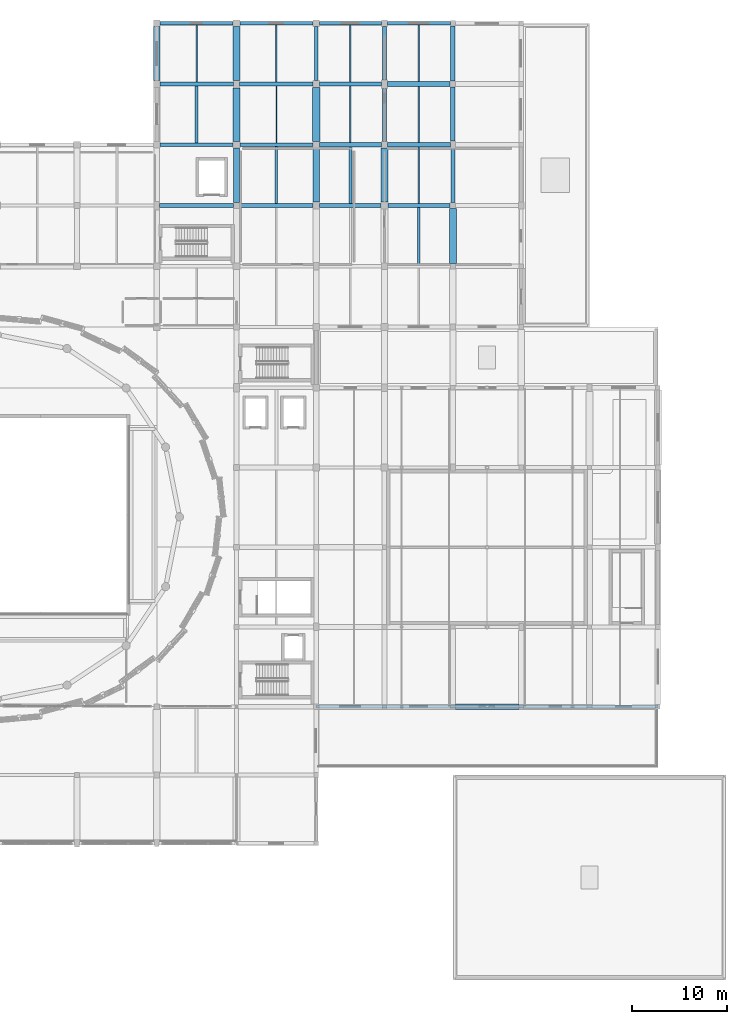
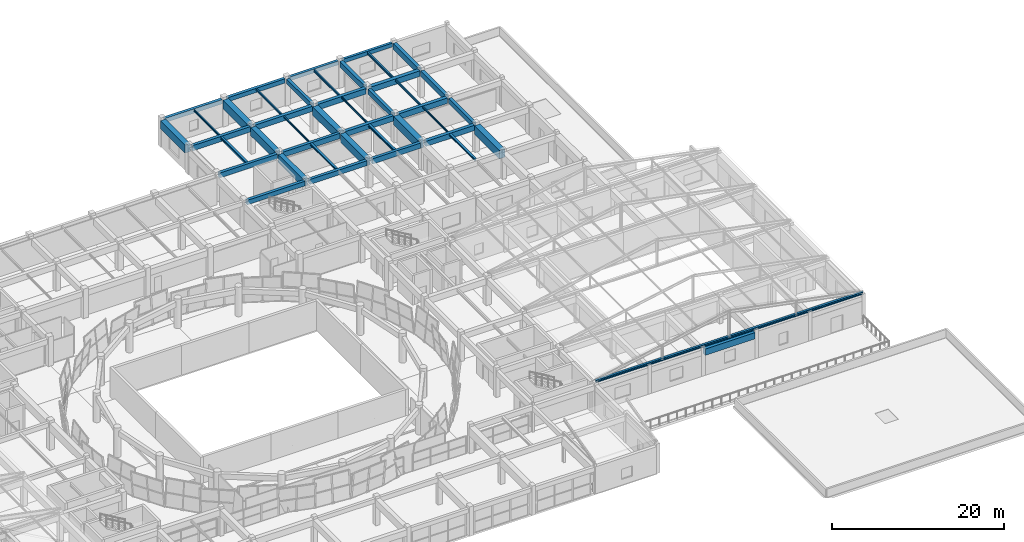
# One storey, part 37 of 74: 43 beams, 1 member.
"""IFC4 building model written with IfcOpenShell, lengths in metres."""

from ifc_helpers import new_model, si_unit, direction, frame, origin, origin_2d, place, context, subcontext, project, spatial, rectangle, i_section, extrude, material, material_profile, profile_set, type_object, element, save


model = new_model("IFC4")

# Units and contexts
model_context = context("Model", 3, precision=1e-05, world=origin(), true_north=direction((0.0, 1.0)))
body_context = subcontext(model_context, "Body", "Model", "MODEL_VIEW")
ifc_project = project(units=[si_unit("LENGTHUNIT", "METRE"), si_unit("AREAUNIT", "SQUARE_METRE"), si_unit("VOLUMEUNIT", "CUBIC_METRE"), si_unit("PLANEANGLEUNIT", "RADIAN"), si_unit("MASSUNIT", "GRAM", prefix="KILO")], contexts=[model_context])

# Site, building, storey
site_placement = place(None, origin())
site = spatial("IfcSite", under=ifc_project, at=site_placement, CompositionType="ELEMENT")
building_placement = place(site_placement, origin())
building = spatial("IfcBuilding", under=site, at=building_placement, Name="Korsvaeld Concert Hall", CompositionType="ELEMENT")
storey_placement = place(building_placement, frame((0.0, 0.0, 9.0)))
storey = spatial("IfcBuildingStorey", under=building, at=storey_placement, Name="L02", CompositionType="ELEMENT", Elevation=9.0)

# Beams
ifc_material_1 = material(Name="Concrete C35/45", Category="concrete")
ifc_material_profile_1 = material_profile(ifc_material_1, rectangle(XDim=0.39990234375, YDim=0.64990234375, at=origin_2d()), Name="RC 400x650")
ifc_profile_set_1 = profile_set([ifc_material_profile_1], Name="Concrete C35/45")
beam_type_1 = type_object("IfcBeamType", Name="BM-RC-400x650", PredefinedType="T_BEAM", material=ifc_profile_set_1)
beam_1_placement = place(storey_placement, frame((101.10009765625, 96.0, 3.514892578125), z_axis=(1.0, 0.0, 0.0), x_axis=(0.0, 1.0, 0.0)))
element("IfcBeam", 1, at=beam_1_placement, inside=storey, type_object=beam_type_1, Name="Primary girder 14-15/P L02", PredefinedType="T_BEAM", context=body_context, shape_type="SweptSolid", body=[
    extrude(rectangle(XDim=0.39990234375, YDim=0.64990234375, at=origin_2d()), origin(), (0.0, 0.0, 1.0), 7.77490234375),
])
ifc_material_profile_2 = material_profile(ifc_material_1, rectangle(XDim=0.39990234375, YDim=0.699951171875, at=origin_2d()), Name="RC 400x700")
ifc_profile_set_2 = profile_set([ifc_material_profile_2], Name="Concrete C35/45")
beam_type_2 = type_object("IfcBeamType", Name="BM-RC-400x700", PredefinedType="T_BEAM", material=ifc_profile_set_2)
for number, where, z_axis, x_axis, name in (
    (2, (109.52490234375, 96.0, 3.489990234375), (1.0, 0.0, 0.0), (0.0, 1.0, 0.0), "Primary girder 15-16/P L02"),
    (3, (101.125, 102.39990234375, 3.489990234375), (1.0, 0.0, 0.0), (0.0, 1.0, 0.0), "Primary girder 14-15/Q L02"),
):
    element("IfcBeam", number, at=place(storey_placement, frame(where, z_axis=z_axis, x_axis=x_axis)), inside=storey, type_object=beam_type_2, Name=name, PredefinedType="T_BEAM", context=body_context, shape_type="SweptSolid", body=[
        extrude(rectangle(XDim=0.39990234375, YDim=0.699951171875, at=origin_2d()), origin(), (0.0, 0.0, 1.0), 7.72509765625),
    ])
beam_2_placement = place(storey_placement, frame((117.60009765625, 109.14990234375, 3.489990234375), z_axis=(0.0, 1.0, 0.0), x_axis=(-1.0, 0.0, 0.0)))
element("IfcBeam", 4, at=beam_2_placement, inside=storey, type_object=beam_type_2, Name="Primary girder 16/R-S L02", PredefinedType="T_BEAM", context=body_context, shape_type="SweptSolid", body=[
    extrude(rectangle(XDim=0.39990234375, YDim=0.699951171875, at=origin_2d()), origin(), (0.0, 0.0, 1.0), 5.72509765625),
])
beam_3_placement = place(storey_placement, frame((124.800048828125, 102.72509765625, 3.489990234375), z_axis=(0.0, 1.0, 0.0), x_axis=(-1.0, 0.0, 0.0)))
element("IfcBeam", 5, at=beam_3_placement, inside=storey, type_object=beam_type_2, Name="Primary girder 17/Q-R L02", PredefinedType="T_BEAM", context=body_context, shape_type="SweptSolid", body=[
    extrude(rectangle(XDim=0.39990234375, YDim=0.699951171875, at=origin_2d()), origin(), (0.0, 0.0, 1.0), 5.625),
])
beam_4_placement = place(storey_placement, frame((132.0, 96.300048828125, 3.489990234375), z_axis=(0.0, 1.0, 0.0), x_axis=(-1.0, 0.0, 0.0)))
element("IfcBeam", 6, at=beam_4_placement, inside=storey, type_object=beam_type_2, Name="Primary girder 18/P-Q L02", PredefinedType="T_BEAM", context=body_context, shape_type="SweptSolid", body=[
    extrude(rectangle(XDim=0.39990234375, YDim=0.699951171875, at=origin_2d()), origin(), (0.0, 0.0, 1.0), 5.724853515625),
])
ifc_material_profile_3 = material_profile(ifc_material_1, rectangle(XDim=0.39990234375, YDim=0.75, at=origin_2d()), Name="RC 400x750")
ifc_profile_set_3 = profile_set([ifc_material_profile_3], Name="Concrete C35/45")
beam_type_3 = type_object("IfcBeamType", Name="BM-RC-400x750", PredefinedType="T_BEAM", material=ifc_profile_set_3)
beam_5_placement = place(storey_placement, frame((117.949951171875, 96.0, 3.465087890625), z_axis=(1.0, 0.0, 0.0), x_axis=(0.0, 1.0, 0.0)))
element("IfcBeam", 7, at=beam_5_placement, inside=storey, type_object=beam_type_3, Name="Primary girder 16-17/P L02", PredefinedType="T_BEAM", context=body_context, shape_type="SweptSolid", body=[
    extrude(rectangle(XDim=0.39990234375, YDim=0.75, at=origin_2d()), origin(), (0.0, 0.0, 1.0), 6.5),
])
beam_6_placement = place(storey_placement, frame((109.550048828125, 102.39990234375, 3.465087890625), z_axis=(1.0, 0.0, 0.0), x_axis=(0.0, 1.0, 0.0)))
element("IfcBeam", 8, at=beam_6_placement, inside=storey, type_object=beam_type_3, Name="Primary girder 15-16/Q L02", PredefinedType="T_BEAM", context=body_context, shape_type="SweptSolid", body=[
    extrude(rectangle(XDim=0.39990234375, YDim=0.75, at=origin_2d()), origin(), (0.0, 0.0, 1.0), 7.724853515625),
])
beam_7_placement = place(storey_placement, frame((101.14990234375, 108.800048828125, 3.465087890625), z_axis=(1.0, 0.0, 0.0), x_axis=(0.0, 1.0, 0.0)))
element("IfcBeam", 9, at=beam_7_placement, inside=storey, type_object=beam_type_3, Name="Primary girder 14-15/R L02", PredefinedType="T_BEAM", context=body_context, shape_type="SweptSolid", body=[
    extrude(rectangle(XDim=0.39990234375, YDim=0.75, at=origin_2d()), origin(), (0.0, 0.0, 1.0), 7.75),
])
ifc_material_profile_4 = material_profile(ifc_material_1, rectangle(XDim=0.449951171875, YDim=0.75, at=origin_2d()), Name="RC 450x750")
ifc_profile_set_4 = profile_set([ifc_material_profile_4], Name="Concrete C35/45")
beam_type_4 = type_object("IfcBeamType", Name="BM-RC-450x750", PredefinedType="T_BEAM", material=ifc_profile_set_4)
for number, where, z_axis, x_axis, name in (
    (10, (125.14990234375, 96.0, 3.465087890625), (1.0, 0.0, 0.0), (0.0, 1.0, 0.0), "Primary girder 17-18/P L02"),
    (11, (117.925048828125, 102.39990234375, 3.465087890625), (1.0, 0.0, 0.0), (0.0, 1.0, 0.0), "Primary girder 16-17/Q L02"),
):
    element("IfcBeam", number, at=place(storey_placement, frame(where, z_axis=z_axis, x_axis=x_axis)), inside=storey, type_object=beam_type_4, Name=name, PredefinedType="T_BEAM", context=body_context, shape_type="SweptSolid", body=[
        extrude(rectangle(XDim=0.449951171875, YDim=0.75, at=origin_2d()), origin(), (0.0, 0.0, 1.0), 6.550048828125),
    ])
beam_8_placement = place(storey_placement, frame((109.5, 108.800048828125, 3.465087890625), z_axis=(1.0, 0.0, 0.0), x_axis=(0.0, 1.0, 0.0)))
element("IfcBeam", 12, at=beam_8_placement, inside=storey, type_object=beam_type_4, Name="Primary girder 15-16/R L02", PredefinedType="T_BEAM", context=body_context, shape_type="SweptSolid", body=[
    extrude(rectangle(XDim=0.449951171875, YDim=0.75, at=origin_2d()), origin(), (0.0, 0.0, 1.0), 7.75),
])
ifc_material_profile_5 = material_profile(ifc_material_1, rectangle(XDim=0.449951171875, YDim=0.800048828125, at=origin_2d()), Name="RC 450x800")
ifc_profile_set_5 = profile_set([ifc_material_profile_5], Name="Concrete C35/45")
beam_type_5 = type_object("IfcBeamType", Name="BM-RC-450x800", PredefinedType="T_BEAM", material=ifc_profile_set_5)
beam_9_placement = place(storey_placement, frame((125.125, 102.39990234375, 3.43994140625), z_axis=(1.0, 0.0, 0.0), x_axis=(0.0, 1.0, 0.0)))
element("IfcBeam", 13, at=beam_9_placement, inside=storey, type_object=beam_type_5, Name="Primary girder 17-18/Q L02", PredefinedType="T_BEAM", context=body_context, shape_type="SweptSolid", body=[
    extrude(rectangle(XDim=0.449951171875, YDim=0.800048828125, at=origin_2d()), origin(), (0.0, 0.0, 1.0), 6.60009765625),
])
beam_10_placement = place(storey_placement, frame((117.949951171875, 108.800048828125, 3.43994140625), z_axis=(1.0, 0.0, 0.0), x_axis=(0.0, 1.0, 0.0)))
element("IfcBeam", 14, at=beam_10_placement, inside=storey, type_object=beam_type_5, Name="Primary girder 16-17/R L02", PredefinedType="T_BEAM", context=body_context, shape_type="SweptSolid", body=[
    extrude(rectangle(XDim=0.449951171875, YDim=0.800048828125, at=origin_2d()), origin(), (0.0, 0.0, 1.0), 6.550048828125),
])
beam_11_placement = place(storey_placement, frame((124.800048828125, 109.25, 3.43994140625), z_axis=(0.0, 1.0, 0.0), x_axis=(-1.0, 0.0, 0.0)))
element("IfcBeam", 15, at=beam_11_placement, inside=storey, type_object=beam_type_5, Name="Primary girder 17/R-S L02", PredefinedType="T_BEAM", context=body_context, shape_type="SweptSolid", body=[
    extrude(rectangle(XDim=0.449951171875, YDim=0.800048828125, at=origin_2d()), origin(), (0.0, 0.0, 1.0), 5.625),
])
beam_12_placement = place(storey_placement, frame((132.0, 102.77490234375, 3.43994140625), z_axis=(0.0, 1.0, 0.0), x_axis=(-1.0, 0.0, 0.0)))
element("IfcBeam", 16, at=beam_12_placement, inside=storey, type_object=beam_type_5, Name="Primary girder 18/Q-R L02", PredefinedType="T_BEAM", context=body_context, shape_type="SweptSolid", body=[
    extrude(rectangle(XDim=0.449951171875, YDim=0.800048828125, at=origin_2d()), origin(), (0.0, 0.0, 1.0), 5.72509765625),
])
ifc_material_2 = material(Name="Concrete C40/50", Category="concrete")
ifc_material_profile_6 = material_profile(ifc_material_2, rectangle(XDim=0.449951171875, YDim=0.85009765625, at=origin_2d()), Name="RC 450x850")
ifc_profile_set_6 = profile_set([ifc_material_profile_6], Name="Concrete C40/50")
beam_type_6 = type_object("IfcBeamType", Name="BM-RC-450x850", PredefinedType="T_BEAM", material=ifc_profile_set_6)
beam_13_placement = place(storey_placement, frame((132.0, 109.10009765625, 3.4150390625), z_axis=(0.0, 1.0, 0.0), x_axis=(-1.0, 0.0, 0.0)))
element("IfcBeam", 17, at=beam_13_placement, inside=storey, type_object=beam_type_6, Name="Primary girder 18/R-S L02", PredefinedType="T_BEAM", context=body_context, shape_type="SweptSolid", body=[
    extrude(rectangle(XDim=0.449951171875, YDim=0.85009765625, at=origin_2d()), origin(), (0.0, 0.0, 1.0), 5.824951171875),
])
ifc_material_profile_7 = material_profile(ifc_material_2, rectangle(XDim=0.5, YDim=0.800048828125, at=origin_2d()), Name="RC 500x800")
ifc_profile_set_7 = profile_set([ifc_material_profile_7], Name="Concrete C40/50")
beam_type_7 = type_object("IfcBeamType", Name="BM-RC-500x800", PredefinedType="T_BEAM", material=ifc_profile_set_7)
beam_14_placement = place(storey_placement, frame((125.10009765625, 108.800048828125, 3.43994140625), z_axis=(1.0, 0.0, 0.0), x_axis=(0.0, 1.0, 0.0)))
element("IfcBeam", 18, at=beam_14_placement, inside=storey, type_object=beam_type_7, Name="Primary girder 17-18/R L02", PredefinedType="T_BEAM", context=body_context, shape_type="SweptSolid", body=[
    extrude(rectangle(XDim=0.5, YDim=0.800048828125, at=origin_2d()), origin(), (0.0, 0.0, 1.0), 6.599853515625),
])
ifc_material_profile_8 = material_profile(ifc_material_2, rectangle(XDim=0.550048828125, YDim=0.89990234375, at=origin_2d()), Name="RC 550x900")
ifc_profile_set_8 = profile_set([ifc_material_profile_8], Name="Concrete C40/50")
beam_type_8 = type_object("IfcBeamType", Name="BM-RC-550x900", PredefinedType="T_BEAM", material=ifc_profile_set_8)
beam_15_placement = place(storey_placement, frame((132.25, 43.199951171875, 3.389892578125), z_axis=(1.0, 0.0, 0.0), x_axis=(0.0, 1.0, 0.0)))
element("IfcBeam", 19, at=beam_15_placement, inside=storey, type_object=beam_type_8, Name="Primary girder 18-19/G L02", PredefinedType="T_BEAM", context=body_context, shape_type="SweptSolid", body=[
    extrude(rectangle(XDim=0.550048828125, YDim=0.89990234375, at=origin_2d()), origin(), (0.0, 0.0, 1.0), 6.699951171875),
])
ifc_material_profile_9 = material_profile(ifc_material_2, rectangle(XDim=0.64990234375, YDim=1.10009765625, at=origin_2d()), Name="RC 650x1100")
ifc_profile_set_9 = profile_set([ifc_material_profile_9], Name="Concrete C40/50")
beam_type_9 = type_object("IfcBeamType", Name="BM-RC-650x1100", PredefinedType="T_BEAM", material=ifc_profile_set_9)
beam_16_placement = place(storey_placement, frame((109.199951171875, 96.324951171875, 3.2900390625), z_axis=(0.0, 1.0, 0.0), x_axis=(-1.0, 0.0, 0.0)))
element("IfcBeam", 20, at=beam_16_placement, inside=storey, type_object=beam_type_9, Name="Primary girder 15/P-Q L02", PredefinedType="T_BEAM", context=body_context, shape_type="SweptSolid", body=[
    extrude(rectangle(XDim=0.64990234375, YDim=1.10009765625, at=origin_2d()), origin(), (0.0, 0.0, 1.0), 5.72509765625),
])
ifc_material_profile_10 = material_profile(ifc_material_2, rectangle(XDim=0.699951171875, YDim=1.14990234375, at=origin_2d()), Name="RC 700x1150")
ifc_profile_set_10 = profile_set([ifc_material_profile_10], Name="Concrete C40/50")
beam_type_10 = type_object("IfcBeamType", Name="BM-RC-700x1150", PredefinedType="T_BEAM", material=ifc_profile_set_10)
beam_17_placement = place(storey_placement, frame((100.800048828125, 109.14990234375, 3.264892578125), z_axis=(0.0, 1.0, 0.0), x_axis=(-1.0, 0.0, 0.0)))
element("IfcBeam", 21, at=beam_17_placement, inside=storey, type_object=beam_type_10, Name="Primary girder 14/R-S L02", PredefinedType="T_BEAM", context=body_context, shape_type="SweptSolid", body=[
    extrude(rectangle(XDim=0.699951171875, YDim=1.14990234375, at=origin_2d()), origin(), (0.0, 0.0, 1.0), 5.72509765625),
])
beam_18_placement = place(storey_placement, frame((109.199951171875, 102.75, 3.264892578125), z_axis=(0.0, 1.0, 0.0), x_axis=(-1.0, 0.0, 0.0)))
element("IfcBeam", 22, at=beam_18_placement, inside=storey, type_object=beam_type_10, Name="Primary girder 15/Q-R L02", PredefinedType="T_BEAM", context=body_context, shape_type="SweptSolid", body=[
    extrude(rectangle(XDim=0.699951171875, YDim=1.14990234375, at=origin_2d()), origin(), (0.0, 0.0, 1.0), 5.64990234375),
])
beam_19_placement = place(storey_placement, frame((117.60009765625, 96.35009765625, 3.264892578125), z_axis=(0.0, 1.0, 0.0), x_axis=(-1.0, 0.0, 0.0)))
element("IfcBeam", 23, at=beam_19_placement, inside=storey, type_object=beam_type_10, Name="Primary girder 16/P-Q L02", PredefinedType="T_BEAM", context=body_context, shape_type="SweptSolid", body=[
    extrude(rectangle(XDim=0.699951171875, YDim=1.14990234375, at=origin_2d()), origin(), (0.0, 0.0, 1.0), 5.724853515625),
])
ifc_material_profile_11 = material_profile(ifc_material_2, rectangle(XDim=0.75, YDim=1.199951171875, at=origin_2d()), Name="RC 750x1200")
ifc_profile_set_11 = profile_set([ifc_material_profile_11], Name="Concrete C40/50")
beam_type_11 = type_object("IfcBeamType", Name="BM-RC-750x1200", PredefinedType="T_BEAM", material=ifc_profile_set_11)
beam_20_placement = place(storey_placement, frame((109.199951171875, 109.199951171875, 3.239990234375), z_axis=(0.0, 1.0, 0.0), x_axis=(-1.0, 0.0, 0.0)))
element("IfcBeam", 24, at=beam_20_placement, inside=storey, type_object=beam_type_11, Name="Primary girder 15/R-S L02", PredefinedType="T_BEAM", context=body_context, shape_type="SweptSolid", body=[
    extrude(rectangle(XDim=0.75, YDim=1.199951171875, at=origin_2d()), origin(), (0.0, 0.0, 1.0), 5.650146484375),
])
for number, where, z_axis, x_axis, name in (
    (25, (117.60009765625, 102.72509765625, 3.239990234375), (0.0, 1.0, 0.0), (-1.0, 0.0, 0.0), "Primary girder 16/Q-R L02"),
    (26, (124.800048828125, 96.35009765625, 3.239990234375), (0.0, 1.0, 0.0), (-1.0, 0.0, 0.0), "Primary girder 17/P-Q L02"),
):
    element("IfcBeam", number, at=place(storey_placement, frame(where, z_axis=z_axis, x_axis=x_axis)), inside=storey, type_object=beam_type_11, Name=name, PredefinedType="T_BEAM", context=body_context, shape_type="SweptSolid", body=[
        extrude(rectangle(XDim=0.75, YDim=1.199951171875, at=origin_2d()), origin(), (0.0, 0.0, 1.0), 5.724853515625),
    ])
beam_21_placement = place(storey_placement, frame((132.0, 89.875, 3.239990234375), z_axis=(0.0, 1.0, 0.0), x_axis=(-1.0, 0.0, 0.0)))
element("IfcBeam", 27, at=beam_21_placement, inside=storey, type_object=beam_type_11, Name="Primary girder 18/N-P L02", PredefinedType="T_BEAM", context=body_context, shape_type="SweptSolid", body=[
    extrude(rectangle(XDim=0.75, YDim=1.199951171875, at=origin_2d()), origin(), (0.0, 0.0, 1.0), 5.824951171875),
])
ifc_material_profile_12 = material_profile(ifc_material_1, rectangle(XDim=0.35009765625, YDim=0.550048828125, at=origin_2d()), Name="RC 350x550")
ifc_profile_set_12 = profile_set([ifc_material_profile_12], Name="Concrete C35/45")
beam_type_12 = type_object("IfcBeamType", Name="BM-SP-350x550", PredefinedType="SPANDREL", material=ifc_profile_set_12)
beam_22_placement = place(storey_placement, frame((117.925048828125, 115.199951171875, 3.56494140625), z_axis=(1.0, 0.0, 0.0), x_axis=(0.0, 1.0, 0.0)))
element("IfcBeam", 28, at=beam_22_placement, inside=storey, type_object=beam_type_12, Name="Primary girder 16-17/S L02", PredefinedType="SPANDREL", context=body_context, shape_type="SweptSolid", body=[
    extrude(rectangle(XDim=0.35009765625, YDim=0.550048828125, at=origin_2d()), origin(), (0.0, 0.0, 1.0), 6.550048828125),
])
beam_23_placement = place(storey_placement, frame((125.125, 115.199951171875, 3.56494140625), z_axis=(1.0, 0.0, 0.0), x_axis=(0.0, 1.0, 0.0)))
element("IfcBeam", 29, at=beam_23_placement, inside=storey, type_object=beam_type_12, Name="Primary girder 17-18/S L02", PredefinedType="SPANDREL", context=body_context, shape_type="SweptSolid", body=[
    extrude(rectangle(XDim=0.35009765625, YDim=0.550048828125, at=origin_2d()), origin(), (0.0, 0.0, 1.0), 6.60009765625),
])
ifc_material_profile_13 = material_profile(ifc_material_1, rectangle(XDim=0.39990234375, YDim=0.60009765625, at=origin_2d()), Name="RC 400x600")
ifc_profile_set_13 = profile_set([ifc_material_profile_13], Name="Concrete C35/45")
beam_type_13 = type_object("IfcBeamType", Name="BM-SP-400x600", PredefinedType="SPANDREL", material=ifc_profile_set_13)
beam_24_placement = place(storey_placement, frame((101.125, 115.199951171875, 3.5400390625), z_axis=(1.0, 0.0, 0.0), x_axis=(0.0, 1.0, 0.0)))
element("IfcBeam", 30, at=beam_24_placement, inside=storey, type_object=beam_type_13, Name="Primary girder 14-15/S L02", PredefinedType="SPANDREL", context=body_context, shape_type="SweptSolid", body=[
    extrude(rectangle(XDim=0.39990234375, YDim=0.60009765625, at=origin_2d()), origin(), (0.0, 0.0, 1.0), 7.72509765625),
])
beam_25_placement = place(storey_placement, frame((109.550048828125, 115.199951171875, 3.5400390625), z_axis=(1.0, 0.0, 0.0), x_axis=(0.0, 1.0, 0.0)))
element("IfcBeam", 31, at=beam_25_placement, inside=storey, type_object=beam_type_13, Name="Primary girder 15-16/S L02", PredefinedType="SPANDREL", context=body_context, shape_type="SweptSolid", body=[
    extrude(rectangle(XDim=0.39990234375, YDim=0.60009765625, at=origin_2d()), origin(), (0.0, 0.0, 1.0), 7.724853515625),
])
ifc_material_3 = material(Name="Steel S355J2", Category="steel")
ifc_material_profile_14 = material_profile(ifc_material_3, i_section(OverallWidth=0.280029296875, OverallDepth=0.27001953125, WebThickness=0.008056640625, FlangeThickness=0.012939453125, FilletRadius=0.02392578125, at=origin_2d()), Name="HEA 280")
ifc_profile_set_14 = profile_set([ifc_material_profile_14], Name="Steel S355J2")
beam_type_14 = type_object("IfcBeamType", Name="BM-STL-HEA280", PredefinedType="BEAM", material=ifc_profile_set_14)
beam_26_placement = place(storey_placement, frame((113.39990234375, 96.199951171875, 3.705078125), z_axis=(0.0, 1.0, 0.0), x_axis=(-1.0, 0.0, 0.0)))
element("IfcBeam", 32, at=beam_26_placement, inside=storey, type_object=beam_type_14, Name="Secondary steel floor beam 15-16/P L02", PredefinedType="BEAM", context=body_context, shape_type="SweptSolid", body=[
    extrude(i_section(OverallWidth=0.280029296875, OverallDepth=0.27001953125, WebThickness=0.008056640625, FlangeThickness=0.012939453125, FilletRadius=0.02392578125, at=origin_2d()), origin(), (0.0, 0.0, 1.0), 6.0),
])
beam_27_placement = place(storey_placement, frame((128.39990234375, 89.800048828125, 3.705078125), z_axis=(0.0, 1.0, 0.0), x_axis=(-1.0, 0.0, 0.0)))
element("IfcBeam", 33, at=beam_27_placement, inside=storey, type_object=beam_type_14, Name="Secondary steel floor beam 17-18/N L02", PredefinedType="BEAM", context=body_context, shape_type="SweptSolid", body=[
    extrude(i_section(OverallWidth=0.280029296875, OverallDepth=0.27001953125, WebThickness=0.008056640625, FlangeThickness=0.012939453125, FilletRadius=0.02392578125, at=origin_2d()), origin(), (0.0, 0.0, 1.0), 5.974853515625),
])
ifc_material_profile_15 = material_profile(ifc_material_3, i_section(OverallWidth=0.300048828125, OverallDepth=0.35009765625, WebThickness=0.010009765625, FlangeThickness=0.017578125, FilletRadius=0.027099609375, at=origin_2d()), Name="HEA 360")
ifc_profile_set_15 = profile_set([ifc_material_profile_15], Name="Steel S355J2")
beam_type_15 = type_object("IfcBeamType", Name="BM-STL-HEA360", PredefinedType="BEAM", material=ifc_profile_set_15)
beam_28_placement = place(storey_placement, frame((105.0, 102.60009765625, 3.6650390625), z_axis=(0.0, 1.0, 0.0), x_axis=(-1.0, 0.0, 0.0)))
element("IfcBeam", 34, at=beam_28_placement, inside=storey, type_object=beam_type_15, Name="Secondary steel floor beam 14-15/Q L02", PredefinedType="BEAM", context=body_context, shape_type="SweptSolid", body=[
    extrude(i_section(OverallWidth=0.300048828125, OverallDepth=0.35009765625, WebThickness=0.010009765625, FlangeThickness=0.017578125, FilletRadius=0.027099609375, at=origin_2d()), origin(), (0.0, 0.0, 1.0), 6.0),
])
beam_29_placement = place(storey_placement, frame((121.199951171875, 96.199951171875, 3.6650390625), z_axis=(0.0, 1.0, 0.0), x_axis=(-1.0, 0.0, 0.0)))
element("IfcBeam", 35, at=beam_29_placement, inside=storey, type_object=beam_type_15, Name="Secondary steel floor beam 16-17/P L02", PredefinedType="BEAM", context=body_context, shape_type="SweptSolid", body=[
    extrude(i_section(OverallWidth=0.300048828125, OverallDepth=0.35009765625, WebThickness=0.010009765625, FlangeThickness=0.017578125, FilletRadius=0.027099609375, at=origin_2d()), origin(), (0.0, 0.0, 1.0), 5.97509765625),
])
ifc_material_profile_16 = material_profile(ifc_material_3, i_section(OverallWidth=0.1201171875, OverallDepth=0.239990234375, WebThickness=0.006103515625, FlangeThickness=0.009765625, FilletRadius=0.014892578125, at=origin_2d()), Name="IPE 240")
ifc_profile_set_16 = profile_set([ifc_material_profile_16], Name="Steel S355J2")
beam_type_16 = type_object("IfcBeamType", Name="BM-STL-IPE240", PredefinedType="JOIST", material=ifc_profile_set_16)
beam_30_placement = place(storey_placement, frame((113.39990234375, 102.60009765625, 3.719970703125), z_axis=(0.0, 1.0, 0.0), x_axis=(-1.0, 0.0, 0.0)))
element("IfcBeam", 36, at=beam_30_placement, inside=storey, type_object=beam_type_16, Name="Secondary steel floor beam 15-16/Q L02", PredefinedType="JOIST", context=body_context, shape_type="SweptSolid", body=[
    extrude(i_section(OverallWidth=0.1201171875, OverallDepth=0.239990234375, WebThickness=0.006103515625, FlangeThickness=0.009765625, FilletRadius=0.014892578125, at=origin_2d()), origin(), (0.0, 0.0, 1.0), 5.974853515625),
])
beam_31_placement = place(storey_placement, frame((128.39990234375, 96.22509765625, 3.719970703125), z_axis=(0.0, 1.0, 0.0), x_axis=(-1.0, 0.0, 0.0)))
element("IfcBeam", 37, at=beam_31_placement, inside=storey, type_object=beam_type_16, Name="Secondary steel floor beam 17-18/P L02", PredefinedType="JOIST", context=body_context, shape_type="SweptSolid", body=[
    extrude(i_section(OverallWidth=0.1201171875, OverallDepth=0.239990234375, WebThickness=0.006103515625, FlangeThickness=0.009765625, FilletRadius=0.014892578125, at=origin_2d()), origin(), (0.0, 0.0, 1.0), 5.949951171875),
])
ifc_material_profile_17 = material_profile(ifc_material_3, i_section(OverallWidth=0.135009765625, OverallDepth=0.27001953125, WebThickness=0.006591796875, FlangeThickness=0.01025390625, FilletRadius=0.014892578125, at=origin_2d()), Name="IPE 270")
ifc_profile_set_17 = profile_set([ifc_material_profile_17], Name="Steel S355J2")
beam_type_17 = type_object("IfcBeamType", Name="BM-STL-IPE270", PredefinedType="JOIST", material=ifc_profile_set_17)
beam_32_placement = place(storey_placement, frame((105.0, 109.0, 3.705078125), z_axis=(0.0, 1.0, 0.0), x_axis=(-1.0, 0.0, 0.0)))
element("IfcBeam", 38, at=beam_32_placement, inside=storey, type_object=beam_type_17, Name="Secondary steel floor beam 14-15/R L02", PredefinedType="JOIST", context=body_context, shape_type="SweptSolid", body=[
    extrude(i_section(OverallWidth=0.135009765625, OverallDepth=0.27001953125, WebThickness=0.006591796875, FlangeThickness=0.01025390625, FilletRadius=0.014892578125, at=origin_2d()), origin(), (0.0, 0.0, 1.0), 6.0),
])
beam_33_placement = place(storey_placement, frame((121.199951171875, 102.625, 3.705078125), z_axis=(0.0, 1.0, 0.0), x_axis=(-1.0, 0.0, 0.0)))
element("IfcBeam", 39, at=beam_33_placement, inside=storey, type_object=beam_type_17, Name="Secondary steel floor beam 16-17/Q L02", PredefinedType="JOIST", context=body_context, shape_type="SweptSolid", body=[
    extrude(i_section(OverallWidth=0.135009765625, OverallDepth=0.27001953125, WebThickness=0.006591796875, FlangeThickness=0.01025390625, FilletRadius=0.014892578125, at=origin_2d()), origin(), (0.0, 0.0, 1.0), 5.949951171875),
])
ifc_material_profile_18 = material_profile(ifc_material_3, i_section(OverallWidth=0.14990234375, OverallDepth=0.300048828125, WebThickness=0.007080078125, FlangeThickness=0.0107421875, FilletRadius=0.014892578125, at=origin_2d()), Name="IPE 300")
ifc_profile_set_18 = profile_set([ifc_material_profile_18], Name="Steel S355J2")
beam_type_18 = type_object("IfcBeamType", Name="BM-STL-IPE300", PredefinedType="JOIST", material=ifc_profile_set_18)
beam_34_placement = place(storey_placement, frame((113.39990234375, 109.02490234375, 3.68994140625), z_axis=(0.0, 1.0, 0.0), x_axis=(-1.0, 0.0, 0.0)))
element("IfcBeam", 40, at=beam_34_placement, inside=storey, type_object=beam_type_18, Name="Secondary steel floor beam 15-16/R L02", PredefinedType="JOIST", context=body_context, shape_type="SweptSolid", body=[
    extrude(i_section(OverallWidth=0.14990234375, OverallDepth=0.300048828125, WebThickness=0.007080078125, FlangeThickness=0.0107421875, FilletRadius=0.014892578125, at=origin_2d()), origin(), (0.0, 0.0, 1.0), 5.97509765625),
])
beam_35_placement = place(storey_placement, frame((128.39990234375, 102.625, 3.68994140625), z_axis=(0.0, 1.0, 0.0), x_axis=(-1.0, 0.0, 0.0)))
element("IfcBeam", 41, at=beam_35_placement, inside=storey, type_object=beam_type_18, Name="Secondary steel floor beam 17-18/Q L02", PredefinedType="JOIST", context=body_context, shape_type="SweptSolid", body=[
    extrude(i_section(OverallWidth=0.14990234375, OverallDepth=0.300048828125, WebThickness=0.007080078125, FlangeThickness=0.0107421875, FilletRadius=0.014892578125, at=origin_2d()), origin(), (0.0, 0.0, 1.0), 5.925048828125),
])
ifc_material_profile_19 = material_profile(ifc_material_3, i_section(OverallWidth=0.159912109375, OverallDepth=0.330078125, WebThickness=0.007568359375, FlangeThickness=0.011474609375, FilletRadius=0.01806640625, at=origin_2d()), Name="IPE 330")
ifc_profile_set_19 = profile_set([ifc_material_profile_19], Name="Steel S355J2")
beam_type_19 = type_object("IfcBeamType", Name="BM-STL-IPE330", PredefinedType="BEAM", material=ifc_profile_set_19)
beam_36_placement = place(storey_placement, frame((121.199951171875, 109.02490234375, 3.675048828125), z_axis=(0.0, 1.0, 0.0), x_axis=(-1.0, 0.0, 0.0)))
element("IfcBeam", 42, at=beam_36_placement, inside=storey, type_object=beam_type_19, Name="Secondary steel floor beam 16-17/R L02", PredefinedType="BEAM", context=body_context, shape_type="SweptSolid", body=[
    extrude(i_section(OverallWidth=0.159912109375, OverallDepth=0.330078125, WebThickness=0.007568359375, FlangeThickness=0.011474609375, FilletRadius=0.01806640625, at=origin_2d()), origin(), (0.0, 0.0, 1.0), 6.0),
])
ifc_material_profile_20 = material_profile(ifc_material_3, i_section(OverallWidth=0.169921875, OverallDepth=0.360107421875, WebThickness=0.008056640625, FlangeThickness=0.0126953125, FilletRadius=0.01806640625, at=origin_2d()), Name="IPE 360")
ifc_profile_set_20 = profile_set([ifc_material_profile_20], Name="Steel S355J2")
beam_type_20 = type_object("IfcBeamType", Name="BM-STL-IPE360", PredefinedType="BEAM", material=ifc_profile_set_20)
beam_37_placement = place(storey_placement, frame((128.39990234375, 109.050048828125, 3.659912109375), z_axis=(0.0, 1.0, 0.0), x_axis=(-1.0, 0.0, 0.0)))
element("IfcBeam", 43, at=beam_37_placement, inside=storey, type_object=beam_type_20, Name="Secondary steel floor beam 17-18/R L02", PredefinedType="BEAM", context=body_context, shape_type="SweptSolid", body=[
    extrude(i_section(OverallWidth=0.169921875, OverallDepth=0.360107421875, WebThickness=0.008056640625, FlangeThickness=0.0126953125, FilletRadius=0.01806640625, at=origin_2d()), origin(), (0.0, 0.0, 1.0), 5.974853515625),
])

# Member
ifc_material_profile_21 = material_profile(ifc_material_3, i_section(OverallWidth=0.300048828125, OverallDepth=0.340087890625, WebThickness=0.011962890625, FlangeThickness=0.021484375, FilletRadius=0.027099609375, at=origin_2d()), Name="HEB 340")
ifc_profile_set_21 = profile_set([ifc_material_profile_21], Name="Steel S355J2")
member_type = type_object("IfcMemberType", Name="MEM-CHD-HEB340", PredefinedType="CHORD", material=ifc_profile_set_21)
member_placement = place(storey_placement, frame((117.60009765625, 43.199951171875, 4.25), z_axis=(1.0, 0.0, 0.0), x_axis=(0.0, 1.0, 0.0)))
element("IfcMember", 44, at=member_placement, inside=storey, type_object=member_type, Name="Chamber Hall truss bottom chord 1", PredefinedType="CHORD", context=body_context, shape_type="SweptSolid", body=[
    extrude(i_section(OverallWidth=0.300048828125, OverallDepth=0.340087890625, WebThickness=0.011962890625, FlangeThickness=0.021484375, FilletRadius=0.027099609375, at=origin_2d()), origin(), (0.0, 0.0, 1.0), 36.0),
])

save(model, "model.ifc")
